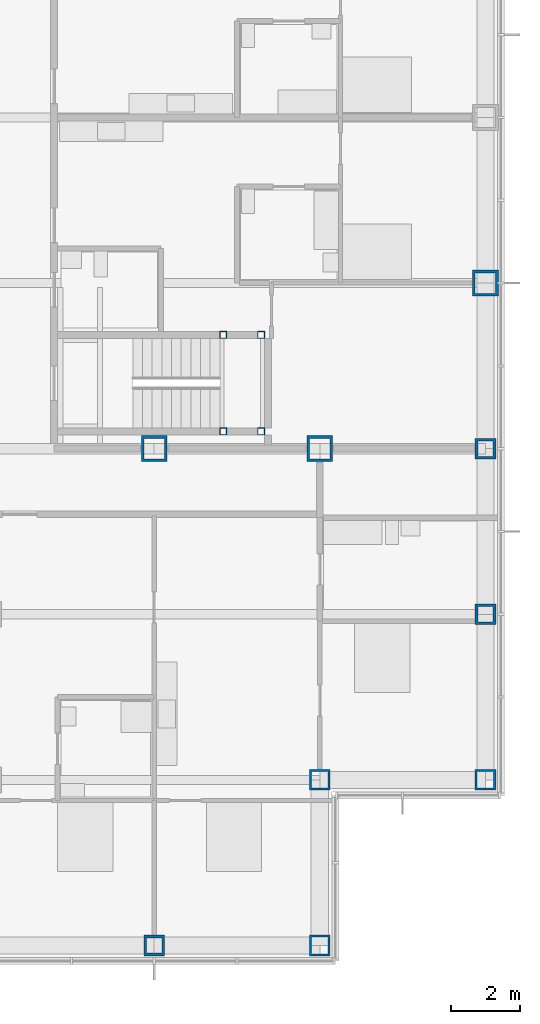
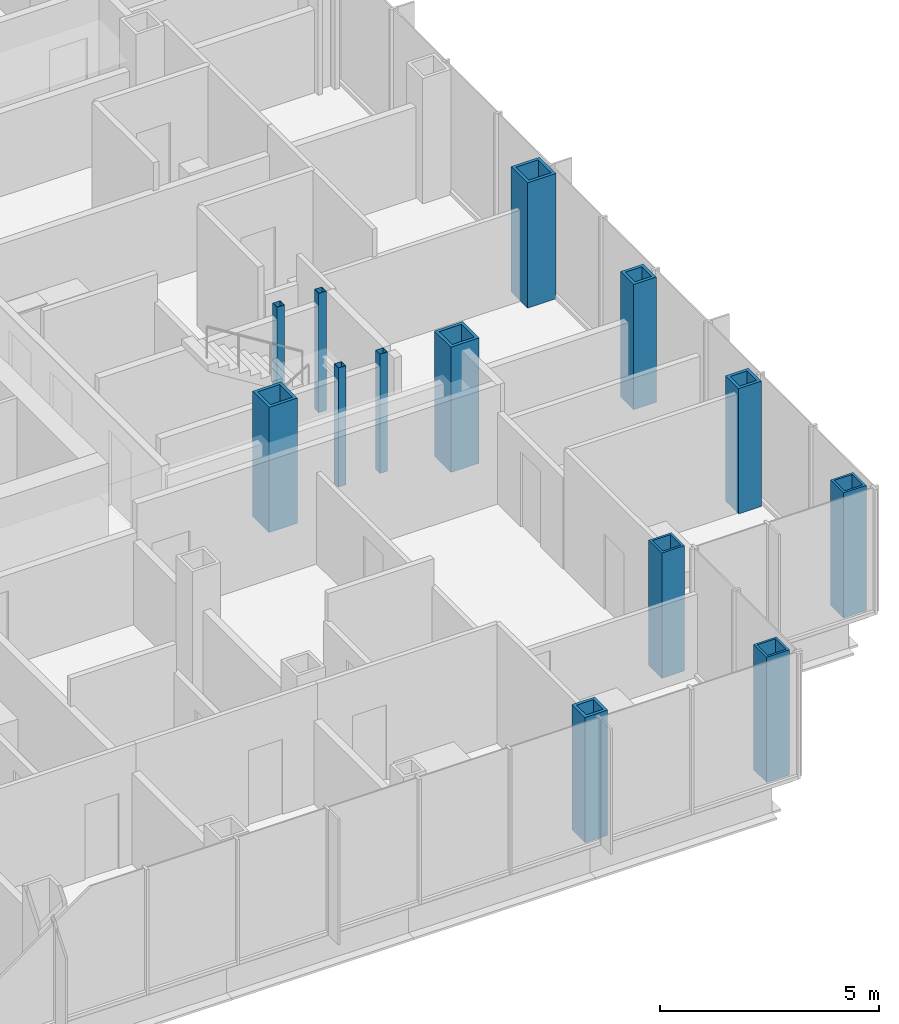
# One storey, part 4 of 21: 13 columns.
"""IFC4 building model written with IfcOpenShell, lengths in metres."""

from ifc_helpers import new_model, si_unit, direction, frame, origin, origin_2d, place, context, subcontext, project, spatial, hollow_rectangle, extrude, material, material_profile, profile_set, type_object, element, save


model = new_model("IFC4")

# Units and contexts
model_context = context("Model", 3, precision=1e-05, world=origin(), true_north=direction((0.0, 1.0)))
body_context = subcontext(model_context, "Body", "Model", "MODEL_VIEW")
ifc_project = project(units=[si_unit("LENGTHUNIT", "METRE"), si_unit("AREAUNIT", "SQUARE_METRE"), si_unit("VOLUMEUNIT", "CUBIC_METRE"), si_unit("PLANEANGLEUNIT", "RADIAN"), si_unit("MASSUNIT", "GRAM", prefix="KILO")], contexts=[model_context])

# Site, building, storey
site_placement = place(None, origin())
site = spatial("IfcSite", under=ifc_project, at=site_placement, CompositionType="ELEMENT")
building_placement = place(site_placement, origin())
building = spatial("IfcBuilding", under=site, at=building_placement, Name="Kvirike Care Tower", CompositionType="ELEMENT")
storey_placement = place(building_placement, frame((0.0, 0.0, 51.5)))
storey = spatial("IfcBuildingStorey", under=building, at=storey_placement, Name="L13", CompositionType="ELEMENT", Elevation=51.5)

# Columns
ifc_material_1 = material(Name="Steel S460", Category="steel")
ifc_material_profile_1 = material_profile(ifc_material_1, hollow_rectangle(XDim=0.60009765625, YDim=0.60009765625, WallThickness=0.06005859375, at=origin_2d()), Name="BX 600x600x60")
ifc_profile_set_1 = profile_set([ifc_material_profile_1], Name="Steel S460")
column_type_1 = type_object("IfcColumnType", Name="COLUMN BX 600x600x60", PredefinedType="COLUMN", material=ifc_profile_set_1)
for number, where, z_axis, x_axis, name in (
    (1, (38.39990234375, 14.39990234375, 0.0), (0.0, 0.0, 1.0), (0.0, 1.0, 0.0), "Column D11 L13"),
    (2, (38.39990234375, 19.199951171875, 0.0), (0.0, 0.0, 1.0), (0.0, 1.0, 0.0), "Column E11 L13"),
    (3, (43.199951171875, 19.199951171875, 0.0), (0.0, 0.0, 1.0), (0.0, 1.0, 0.0), "Column E12 L13"),
):
    element("IfcColumn", number, at=place(storey_placement, frame(where, z_axis=z_axis, x_axis=x_axis)), inside=storey, type_object=column_type_1, Name=name, PredefinedType="COLUMN", context=body_context, shape_type="SweptSolid", body=[
        extrude(hollow_rectangle(XDim=0.60009765625, YDim=0.60009765625, WallThickness=0.06005859375, at=origin_2d()), origin(), (0.0, 0.0, 1.0), 3.5),
    ])
ifc_material_2 = material(Name="Steel S460", Category="steel")
ifc_material_profile_2 = material_profile(ifc_material_2, hollow_rectangle(XDim=0.60009765625, YDim=0.60009765625, WallThickness=0.080078125, at=origin_2d()), Name="BX 600x600x80")
ifc_profile_set_2 = profile_set([ifc_material_profile_2], Name="Steel S460")
column_type_2 = type_object("IfcColumnType", Name="COLUMN BX 600x600x80", PredefinedType="COLUMN", material=ifc_profile_set_2)
for number, where, z_axis, x_axis, name in (
    (4, (33.60009765625, 14.39990234375, 0.0), (0.0, 0.0, 1.0), (0.0, 1.0, 0.0), "Column D10 L13"),
    (5, (43.199951171875, 24.0, 0.0), (0.0, 0.0, 1.0), (1.0, 0.0, 0.0), "Column F12 L13"),
    (6, (43.199951171875, 28.800048828125, 0.0), (0.0, 0.0, 1.0), (0.0, 1.0, 0.0), "Column G12 L13"),
):
    element("IfcColumn", number, at=place(storey_placement, frame(where, z_axis=z_axis, x_axis=x_axis)), inside=storey, type_object=column_type_2, Name=name, PredefinedType="COLUMN", context=body_context, shape_type="SweptSolid", body=[
        extrude(hollow_rectangle(XDim=0.60009765625, YDim=0.60009765625, WallThickness=0.080078125, at=origin_2d()), origin(), (0.0, 0.0, 1.0), 3.5),
    ])
ifc_material_3 = material(Name="Steel S460", Category="steel")
ifc_material_profile_3 = material_profile(ifc_material_3, hollow_rectangle(XDim=0.75, YDim=0.75, WallThickness=0.080078125, at=origin_2d()), Name="BX 750x750x80")
ifc_profile_set_3 = profile_set([ifc_material_profile_3], Name="Steel S460")
column_type_3 = type_object("IfcColumnType", Name="COLUMN BX 750x750x80", PredefinedType="COLUMN", material=ifc_profile_set_3)
for number, where, z_axis, x_axis, name in (
    (7, (33.60009765625, 28.800048828125, 0.0), (0.0, 0.0, 1.0), (0.0, 1.0, 0.0), "Column G10 L13"),
    (8, (38.39990234375, 28.800048828125, 0.0), (0.0, 0.0, 1.0), (0.0, 1.0, 0.0), "Column G11 L13"),
    (9, (43.199951171875, 33.60009765625, 0.0), (0.0, 0.0, 1.0), (1.0, 0.0, 0.0), "Column H12 L13"),
):
    element("IfcColumn", number, at=place(storey_placement, frame(where, z_axis=z_axis, x_axis=x_axis)), inside=storey, type_object=column_type_3, Name=name, PredefinedType="COLUMN", context=body_context, shape_type="SweptSolid", body=[
        extrude(hollow_rectangle(XDim=0.75, YDim=0.75, WallThickness=0.080078125, at=origin_2d()), origin(), (0.0, 0.0, 1.0), 3.5),
    ])
ifc_material_4 = material(Name="Steel S460", Category="steel")
ifc_material_profile_4 = material_profile(ifc_material_4, hollow_rectangle(XDim=0.199951171875, YDim=0.199951171875, WallThickness=0.008056640625, at=origin_2d()), Name="SHS 200x200x8")
ifc_profile_set_4 = profile_set([ifc_material_profile_4], Name="Steel S460")
column_type_4 = type_object("IfcColumnType", Name="STAIR POST SHS 200x200x8", PredefinedType="COLUMN", material=ifc_profile_set_4)
for number, where, z_axis, x_axis, name in (
    (10, (36.699951171875, 29.300048828125, 0.0), (0.0, 0.0, 1.0), (1.0, 0.0, 0.0), "Stair 2 post 1 L13"),
    (11, (36.699951171875, 32.10009765625, 0.0), (0.0, 0.0, 1.0), (1.0, 0.0, 0.0), "Stair 2 post 2 L13"),
    (12, (35.60009765625, 29.300048828125, 0.0), (0.0, 0.0, 1.0), (1.0, 0.0, 0.0), "Stair 2 post 3 L13"),
    (13, (35.60009765625, 32.10009765625, 0.0), (0.0, 0.0, 1.0), (1.0, 0.0, 0.0), "Stair 2 post 4 L13"),
):
    element("IfcColumn", number, at=place(storey_placement, frame(where, z_axis=z_axis, x_axis=x_axis)), inside=storey, type_object=column_type_4, Name=name, PredefinedType="COLUMN", context=body_context, shape_type="SweptSolid", body=[
        extrude(hollow_rectangle(XDim=0.199951171875, YDim=0.199951171875, WallThickness=0.008056640625, at=origin_2d()), origin(), (0.0, 0.0, 1.0), 3.330078125),
    ])

save(model, "model.ifc")
